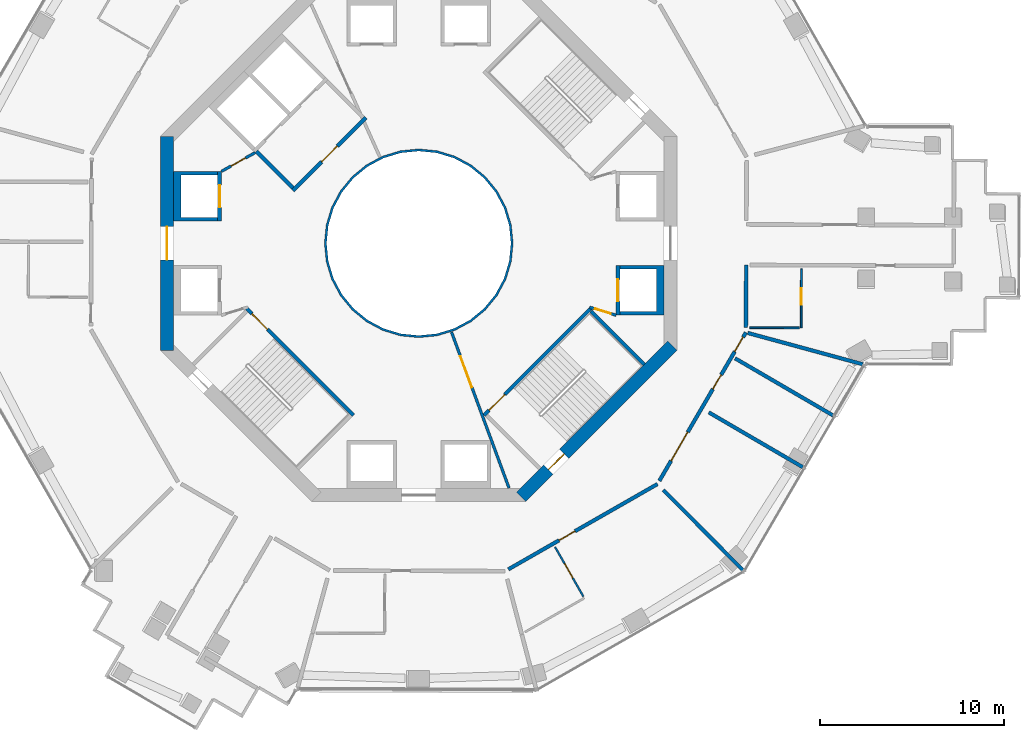
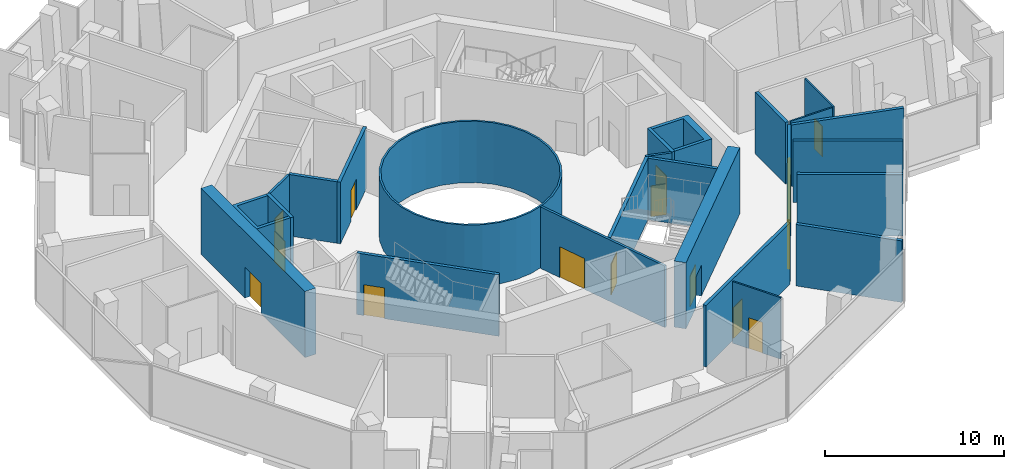
# One storey, part 11 of 16: 25 walls, 16 doors, 16 openings.
"""IFC4 building model written with IfcOpenShell, lengths in metres."""

import ifcopenshell
import ifcopenshell.guid

model = None  # the IFC model being written
_history = None  # IfcOwnerHistory: only IFC2X3 demands one
_inside = {}  # id of a spatial element -> (the spatial element, [elements in it])
_under = {}  # id of a project, library or spatial element -> (it, [spatial elements below it])
_declared = {}  # id of a project -> (the project, [libraries it declares])
_typed = {}  # id of a type object -> (the type object, [elements of that type])
_made_of = {}  # id of a material, layer set ... -> (it, [elements and type objects made of it])


def new_model(schema):
    """Start an empty IFC model of exactly this schema.

    Asked for "IFC4X3", IfcOpenShell would pick the latest addendum, in which some entities
    have other attributes; the version numbers below select the first issue.
    IFC2X3 requires an IfcOwnerHistory on every rooted entity: one is made here for all.
    """
    global model, _history
    if schema == "IFC4X3":
        model = ifcopenshell.file(schema_version=(4, 3, 0, 0))
    else:
        model = ifcopenshell.file(schema=schema)
    _inside.clear()
    _under.clear()
    _declared.clear()
    _typed.clear()
    _made_of.clear()
    _history = None
    if model.schema == "IFC2X3":
        org = make("IfcOrganization", Name="unknown")
        user = make(
            "IfcPersonAndOrganization",
            ThePerson=make("IfcPerson", FamilyName="unknown"),
            TheOrganization=org,
        )
        app = make(
            "IfcApplication",
            ApplicationDeveloper=org,
            Version="unknown",
            ApplicationFullName="unknown",
            ApplicationIdentifier="unknown",
        )
        _history = make(
            "IfcOwnerHistory",
            OwningUser=user,
            OwningApplication=app,
            ChangeAction="ADDED",
            CreationDate=0,
        )
    return model


def make(cls, **values):
    """One entity of the class cls with the attributes given. An attribute that is None is left unset."""
    return model.create_entity(
        cls, **{name: value for name, value in values.items() if value is not None}
    )


def rooted(cls, **values):
    """An entity with a GlobalId (a new one), such as an element, a storey or a relation."""
    return make(cls, GlobalId=ifcopenshell.guid.new(), OwnerHistory=_history, **values)


def si_unit(unit_type, name, prefix=None):
    """IfcSIUnit, for example si_unit("LENGTHUNIT", "METRE", prefix="MILLI")."""
    return make("IfcSIUnit", UnitType=unit_type, Prefix=prefix, Name=name)


def assignment(units):
    """IfcUnitAssignment: the units of a project."""
    return None if units is None else make("IfcUnitAssignment", Units=units)


def point(xyz):
    """IfcCartesianPoint."""
    return None if xyz is None else make("IfcCartesianPoint", Coordinates=xyz)


def direction(xyz):
    """IfcDirection."""
    return None if xyz is None else make("IfcDirection", DirectionRatios=xyz)


def frame(location, z_axis=None, x_axis=None):
    """IfcAxis2Placement3D, a coordinate frame: its origin and axes. An axis left out is left unset."""
    return make(
        "IfcAxis2Placement3D",
        Location=point(location),
        Axis=direction(z_axis),
        RefDirection=direction(x_axis),
    )


def frame_2d(location, x_axis=None):
    """IfcAxis2Placement2D, a coordinate frame in the plane: its origin and x axis."""
    return make(
        "IfcAxis2Placement2D", Location=point(location), RefDirection=direction(x_axis)
    )


def origin():
    """The frame at (0, 0, 0) with its axes left unset."""
    return frame((0.0, 0.0, 0.0))


def place(relative_to, where):
    """IfcLocalPlacement: puts the frame where relative to a parent placement (None: the world)."""
    return make(
        "IfcLocalPlacement", PlacementRelTo=relative_to, RelativePlacement=where
    )


def context(
    kind, dimensions, precision=None, world=None, true_north=None, identifier=None
):
    """IfcGeometricRepresentationContext, for example the 3D "Model" context."""
    return make(
        "IfcGeometricRepresentationContext",
        ContextIdentifier=identifier,
        ContextType=kind,
        CoordinateSpaceDimension=dimensions,
        Precision=precision,
        WorldCoordinateSystem=world,
        TrueNorth=true_north,
    )


def subcontext(parent, identifier, kind, view, scale=None):
    """IfcGeometricRepresentationSubContext, for example "Body" below "Model"."""
    return make(
        "IfcGeometricRepresentationSubContext",
        ContextIdentifier=identifier,
        ContextType=kind,
        ParentContext=parent,
        TargetScale=scale,
        TargetView=view,
    )


def project(units=None, contexts=None):
    """IfcProject with its units and contexts."""
    return rooted(
        "IfcProject",
        Name="project",
        RepresentationContexts=contexts,
        UnitsInContext=assignment(units),
    )


def spatial(cls, under=None, at=None, **own):
    """A site, building, storey or space (cls), placed at a placement, below another one or the project."""
    s = rooted(cls, ObjectPlacement=at, **own)
    if under is not None:
        _under.setdefault(under.id(), (under, []))[1].append(s)
    return s


def polyline(points):
    """IfcPolyline through the points."""
    return make("IfcPolyline", Points=[point(p) for p in points])


def profile(cls, at=None, kind="AREA", **sizes):
    """A parametric profile (cls). Its sizes go by their IFC names, for example OverallWidth=200.0."""
    return make(cls, ProfileType=kind, Position=at, **sizes)


def rectangle(**sizes):
    """IfcRectangleProfileDef."""
    return profile("IfcRectangleProfileDef", **sizes)


def outline(outer, holes=None, kind="AREA"):
    """IfcArbitraryClosedProfileDef: a profile drawn as a closed curve; with holes, ...WithVoids."""
    if holes is None:
        return make("IfcArbitraryClosedProfileDef", ProfileType=kind, OuterCurve=outer)
    return make(
        "IfcArbitraryProfileDefWithVoids",
        ProfileType=kind,
        OuterCurve=outer,
        InnerCurves=holes,
    )


def extrude(swept, where, along, depth):
    """IfcExtrudedAreaSolid: the profile swept, set in the frame where, extruded along a direction by depth."""
    return make(
        "IfcExtrudedAreaSolid",
        SweptArea=swept,
        Position=where,
        ExtrudedDirection=direction(along),
        Depth=depth,
    )


def shape(context_of_items, identifier, shape_type, items):
    """IfcShapeRepresentation: the items that make up one representation, for example the "Body"."""
    return make(
        "IfcShapeRepresentation",
        ContextOfItems=context_of_items,
        RepresentationIdentifier=identifier,
        RepresentationType=shape_type,
        Items=items,
    )


def material(Name=None, Category=None):
    """IfcMaterial."""
    return make("IfcMaterial", Name=Name, Category=Category)


def layer(
    of_material, thickness, ventilated=None, Name=None, Category=None, Priority=None
):
    """IfcMaterialLayer: one layer of a wall or slab, of a material (None: an air gap)."""
    return make(
        "IfcMaterialLayer",
        Material=of_material,
        LayerThickness=thickness,
        IsVentilated=ventilated,
        Name=Name,
        Category=Category,
        Priority=Priority,
    )


def layer_set(layers, Name=None):
    """IfcMaterialLayerSet."""
    return make("IfcMaterialLayerSet", MaterialLayers=layers, LayerSetName=Name)


def made_of(thing, what):
    """Note that an element or type object is made of a material, layer set ...; save() writes the relation."""
    if what is not None:
        _made_of.setdefault(what.id(), (what, []))[1].append(thing)
    return thing


def type_object(cls, material=None, **own):
    """A type object (cls), such as IfcWallType, which elements share."""
    return made_of(rooted(cls, **own), material)


def element(
    cls,
    number,
    at=None,
    inside=None,
    cuts=None,
    type_object=None,
    material=None,
    context=None,
    identifier="Body",
    shape_type=None,
    held_by="IfcProductDefinitionShape",
    body=None,
    shapes=None,
    **own,
):
    """One element of the class cls, such as IfcWall. Its Tag is "e" and its number.

    at: its placement. inside: the storey or other place that contains it. cuts: it is an
    opening in that element (IfcRelVoidsElement). A single representation is given by context,
    identifier, shape_type and body (its items); several are given by shapes. held_by: the class
    of the entity that holds the representations. save() writes the other relations.
    """
    e = rooted(cls, Tag="e%d" % number, ObjectPlacement=at, **own)
    if body is not None:
        shapes = [shape(context, identifier, shape_type, body)]
    if shapes is not None:
        e.Representation = make(held_by, Representations=shapes)
    if inside is not None:
        _inside.setdefault(inside.id(), (inside, []))[1].append(e)
    if cuts is not None:
        rooted(
            "IfcRelVoidsElement", RelatingBuildingElement=cuts, RelatedOpeningElement=e
        )
    if type_object is not None:
        _typed.setdefault(type_object.id(), (type_object, []))[1].append(e)
    return made_of(e, material)


def fill(opening, filler):
    """IfcRelFillsElement: the door or window that sits in an opening."""
    return rooted(
        "IfcRelFillsElement",
        RelatingOpeningElement=opening,
        RelatedBuildingElement=filler,
    )


def aggregate(whole, parts):
    """IfcRelAggregates: a whole, such as a stair, and the parts it consists of."""
    return rooted("IfcRelAggregates", RelatingObject=whole, RelatedObjects=parts)


def save(model, path):
    """Write the relations noted so far, then the file.

    IfcRelAggregates (storeys below a building ...), IfcRelContainedInSpatialStructure (elements
    in a storey), IfcRelDefinesByType, IfcRelAssociatesMaterial and IfcRelDeclares: one each for
    every whole, place, type object, material and project.
    """
    for whole, parts in _under.values():
        aggregate(whole, parts)
    for where, things in _inside.values():
        rooted(
            "IfcRelContainedInSpatialStructure",
            RelatedElements=things,
            RelatingStructure=where,
        )
    for kind, things in _typed.values():
        rooted("IfcRelDefinesByType", RelatedObjects=things, RelatingType=kind)
    for what, things in _made_of.values():
        rooted("IfcRelAssociatesMaterial", RelatedObjects=things, RelatingMaterial=what)
    for by, libraries in _declared.values():
        rooted("IfcRelDeclares", RelatingContext=by, RelatedDefinitions=libraries)
    model.write(path)


model = new_model("IFC4")

# Units and contexts
model_context = context("Model", 3, precision=1e-05, world=origin(), true_north=direction((0.0, 1.0)))
body_context = subcontext(model_context, "Body", "Model", "MODEL_VIEW")
ifc_project = project(units=[si_unit("LENGTHUNIT", "METRE"), si_unit("AREAUNIT", "SQUARE_METRE"), si_unit("VOLUMEUNIT", "CUBIC_METRE"), si_unit("PLANEANGLEUNIT", "RADIAN"), si_unit("MASSUNIT", "GRAM", prefix="KILO")], contexts=[model_context])

# Site, building, storey
site_placement = place(None, origin())
site = spatial("IfcSite", under=ifc_project, at=site_placement, CompositionType="ELEMENT")
building_placement = place(site_placement, origin())
building = spatial("IfcBuilding", under=site, at=building_placement, Name="Verdalira Terraces Hotel", CompositionType="ELEMENT")
storey_placement = place(building_placement, frame((0.0, 0.0, 154.0)))
storey = spatial("IfcBuildingStorey", under=building, at=storey_placement, Name="L37", CompositionType="ELEMENT", Elevation=154.0)

# Wall
ifc_material_1 = material(Name="Fire-resisting glass EI 180", Category="glass")
ifc_layer_1 = layer(ifc_material_1, 0.1201171875)
ifc_layer_set_1 = layer_set([ifc_layer_1], Name="Atrium fire screen 120 mm")
wall_type_1 = type_object("IfcWallType", Name="Atrium fire screen 120 mm", PredefinedType="SOLIDWALL", material=ifc_layer_set_1)
wall_1_placement = place(storey_placement, origin())
element("IfcWall", 1, at=wall_1_placement, inside=storey, type_object=wall_type_1, Name="Atrium fire screen", PredefinedType="SOLIDWALL", context=body_context, shape_type="SweptSolid", body=[
    extrude(outline(polyline([(5.021484, -0.998779), (4.730225, -1.959229), (4.25708, -2.844482), (3.620361, -3.620361), (2.844482, -4.25708), (1.959229, -4.730225), (0.998779, -5.021484), (0.0, -5.120117), (-0.998779, -5.021484), (-1.959229, -4.730225), (-2.844482, -4.25708), (-3.620361, -3.620361), (-4.25708, -2.844482), (-4.730225, -1.959229), (-5.021484, -0.998779), (-5.120117, 0.0), (-5.021484, 0.998779), (-4.730225, 1.959229), (-4.25708, 2.844482), (-3.620361, 3.620361), (-2.844482, 4.25708), (-1.959229, 4.730225), (-0.998779, 5.021484), (0.0, 5.120117), (0.998779, 5.021484), (1.959229, 4.730225), (2.844482, 4.25708), (3.620361, 3.620361), (4.25708, 2.844482), (4.730225, 1.959229), (5.021484, 0.998779), (5.120117, 0.0), (5.021484, -0.998779)]), holes=[polyline([(4.903809, 0.975586), (4.619385, 1.91333), (4.157227, 2.777832), (3.5354, 3.5354), (2.777832, 4.157227), (1.91333, 4.619385), (0.975586, 4.903809), (0.0, 5.0), (-0.975586, 4.903809), (-1.91333, 4.619385), (-2.777832, 4.157227), (-3.5354, 3.5354), (-4.157227, 2.777832), (-4.619385, 1.91333), (-4.903809, 0.975586), (-5.0, 0.0), (-4.903809, -0.975586), (-4.619385, -1.91333), (-4.157227, -2.777832), (-3.5354, -3.5354), (-2.777832, -4.157227), (-1.91333, -4.619385), (-0.975586, -4.903809), (0.0, -5.0), (0.975586, -4.903809), (1.91333, -4.619385), (2.777832, -4.157227), (3.5354, -3.5354), (4.157227, -2.777832), (4.619385, -1.91333), (4.903809, -0.975586), (5.0, 0.0), (4.903809, 0.975586)])]), origin(), (0.0, 0.0, 1.0), 4.189941),
])

# Wall, opening, door
ifc_material_2 = material(Name="Moisture-resistant gypsum board partition")
ifc_layer_2 = layer(ifc_material_2, 0.10009765625)
ifc_layer_set_2 = layer_set([ifc_layer_2], Name="Bathroom partition 100 mm")
wall_type_2 = type_object("IfcWallType", Name="Bathroom partition 100 mm", PredefinedType="PARTITIONING", material=ifc_layer_set_2)
wall_2_placement = place(storey_placement, frame((8.92627, -19.153809, 0.0), z_axis=(0.0, 0.0, 1.0), x_axis=(-0.496384872, 0.868102562, 0.0)))
wall_2 = element("IfcWall", 2, at=wall_2_placement, inside=storey, type_object=wall_type_2, Name="Bathroom partition", PredefinedType="PARTITIONING", context=body_context, shape_type="SweptSolid", body=[
    extrude(rectangle(XDim=3.100098, YDim=0.100098, at=frame_2d((1.550049, 0.0))), origin(), (0.0, 0.0, 1.0), 4.189941),
])
opening_1_placement = place(wall_2_placement, frame((1.149902, 0.0, 0.0)))
opening_1 = element("IfcOpeningElement", 3, at=opening_1_placement, cuts=wall_2, Name="Opening L37-113", PredefinedType="OPENING", context=body_context, shape_type="SweptSolid", body=[
    extrude(rectangle(XDim=0.899902, YDim=2.100098, at=frame_2d((0.449951, 1.050049))), frame((0.0, 0.060059, 0.0), z_axis=(0.0, -1.0, 0.0), x_axis=(1.0, 0.0, 0.0)), (0.0, 0.0, 1.0), 0.120117),
])
ifc_material_3 = material(Name="Timber door", Category="wood")
door_type_1 = type_object("IfcDoorType", Name="Bathroom door 900 x 2100", OperationType="NOTDEFINED", PredefinedType="DOOR", material=ifc_material_3)
door_1_placement = place(opening_1_placement, origin())
door_1 = element("IfcDoor", 4, at=door_1_placement, inside=storey, type_object=door_type_1, Name="Bathroom door 3708", OperationType="SINGLE_SWING_LEFT", OverallHeight=2.10009765625, OverallWidth=0.89990234375, PredefinedType="DOOR", context=body_context, shape_type="SweptSolid", body=[
    extrude(rectangle(XDim=0.899902, YDim=2.100098, at=frame_2d((0.449951, 1.050049))), frame((0.0, 0.024902, 0.0), z_axis=(0.0, -1.0, 0.0), x_axis=(1.0, 0.0, 0.0)), (0.0, 0.0, 1.0), 0.050049),
])
fill(opening_1, door_1)

# Wall
wall_3_placement = place(storey_placement, frame((20.639404, -4.586426, 0.0), z_axis=(0.0, 0.0, 1.0), x_axis=(-0.999991351, 0.004159096, 0.0)))
element("IfcWall", 5, at=wall_3_placement, inside=storey, type_object=wall_type_2, Name="Bathroom partition", PredefinedType="PARTITIONING", context=body_context, shape_type="SweptSolid", body=[
    extrude(rectangle(XDim=2.700195, YDim=0.100098, at=frame_2d((1.350098, 0.0))), origin(), (0.0, 0.0, 1.0), 4.189941),
])

# Wall, opening, door
wall_4_placement = place(storey_placement, frame((20.739258, -4.586914, 0.0), z_axis=(0.0, 0.0, 1.0), x_axis=(0.004196194, 0.999991196, 0.0)))
wall_4 = element("IfcWall", 6, at=wall_4_placement, inside=storey, type_object=wall_type_2, Name="Bathroom partition", PredefinedType="PARTITIONING", context=body_context, shape_type="SweptSolid", body=[
    extrude(rectangle(XDim=3.199951, YDim=0.100098, at=frame_2d((1.600098, 0.0))), origin(), (0.0, 0.0, 1.0), 4.189941),
])
opening_2_placement = place(wall_4_placement, frame((1.25, 0.0, 0.0)))
opening_2 = element("IfcOpeningElement", 7, at=opening_2_placement, cuts=wall_4, Name="Opening L37-116", PredefinedType="OPENING", context=body_context, shape_type="SweptSolid", body=[
    extrude(rectangle(XDim=0.899902, YDim=2.100098, at=frame_2d((0.449951, 1.050049))), frame((0.0, 0.060059, 0.0), z_axis=(0.0, -1.0, 0.0), x_axis=(1.0, 0.0, 0.0)), (0.0, 0.0, 1.0), 0.120117),
])
door_2_placement = place(opening_2_placement, origin())
door_2 = element("IfcDoor", 8, at=door_2_placement, inside=storey, type_object=door_type_1, Name="Bathroom door 3710", OperationType="SINGLE_SWING_LEFT", OverallHeight=2.10009765625, OverallWidth=0.89990234375, PredefinedType="DOOR", context=body_context, shape_type="SweptSolid", body=[
    extrude(rectangle(XDim=0.899902, YDim=2.100098, at=frame_2d((0.449951, 1.050049))), frame((0.0, 0.024902, 0.0), z_axis=(0.0, -1.0, 0.0), x_axis=(1.0, 0.0, 0.0)), (0.0, 0.0, 1.0), 0.050049),
])
fill(opening_2, door_2)

# Wall
ifc_material_4 = material(Name="Concrete C50", Category="concrete")
ifc_layer_3 = layer(ifc_material_4, 0.199951171875)
ifc_layer_set_3 = layer_set([ifc_layer_3], Name="Core RC wall 200 C50")
wall_type_3 = type_object("IfcWallType", Name="Core RC wall 200 C50", PredefinedType="SOLIDWALL", material=ifc_layer_set_3)
wall_5_placement = place(storey_placement, origin())
element("IfcWall", 9, at=wall_5_placement, inside=storey, type_object=wall_type_3, Name="L37 shaft wall E1", PredefinedType="SOLIDWALL", context=body_context, shape_type="SweptSolid", body=[
    extrude(outline(polyline([(13.300049, -3.899902), (10.899902, -3.899902), (10.899902, -3.699951), (12.899902, -3.699951), (12.899902, -1.399902), (10.899902, -1.399902), (10.899902, -1.199951), (13.300049, -1.199951), (13.300049, -3.899902)])), origin(), (0.0, 0.0, 1.0), 4.189941),
])

# Wall, opening, door
wall_6_placement = place(storey_placement, frame((10.800049, -1.199951, 0.0), z_axis=(0.0, 0.0, 1.0), x_axis=(0.0, -1.0, 0.0)))
wall_6 = element("IfcWall", 10, at=wall_6_placement, inside=storey, type_object=wall_type_3, Name="L37 shaft front wall E1", PredefinedType="SOLIDWALL", context=body_context, shape_type="SweptSolid", body=[
    extrude(rectangle(XDim=2.699951, YDim=0.199951, at=frame_2d((1.350098, 0.0))), origin(), (0.0, 0.0, 1.0), 4.189941),
])
opening_3_placement = place(wall_6_placement, frame((0.75, 0.0, 0.0)))
opening_3 = element("IfcOpeningElement", 11, at=opening_3_placement, cuts=wall_6, Name="Opening LD-L37-801", PredefinedType="OPENING", context=body_context, shape_type="SweptSolid", body=[
    extrude(rectangle(XDim=1.199951, YDim=2.100098, at=frame_2d((0.600098, 1.050049))), frame((0.0, 0.109863, 0.0), z_axis=(0.0, -1.0, 0.0), x_axis=(1.0, 0.0, 0.0)), (0.0, 0.0, 1.0), 0.219971),
])
ifc_material_5 = material(Name="Stainless steel", Category="steel")
door_type_2 = type_object("IfcDoorType", Name="Landing door 1200 x 2100", OperationType="NOTDEFINED", PredefinedType="DOOR", material=ifc_material_5)
door_3_placement = place(opening_3_placement, origin())
door_3 = element("IfcDoor", 12, at=door_3_placement, inside=storey, type_object=door_type_2, Name="Lift landing door LR1 L37", OperationType="DOUBLE_DOOR_SLIDING", OverallHeight=2.10009765625, OverallWidth=1.199951171875, PredefinedType="DOOR", context=body_context, shape_type="SweptSolid", body=[
    extrude(rectangle(XDim=1.199951, YDim=2.100098, at=frame_2d((0.600098, 1.050049))), frame((0.0, 0.024902, 0.0), z_axis=(0.0, -1.0, 0.0), x_axis=(1.0, 0.0, 0.0)), (0.0, 0.0, 1.0), 0.050049),
])
fill(opening_3, door_3)

# Wall
wall_7_placement = place(storey_placement, origin())
element("IfcWall", 13, at=wall_7_placement, inside=storey, type_object=wall_type_3, Name="L37 shaft wall W1", PredefinedType="SOLIDWALL", context=body_context, shape_type="SweptSolid", body=[
    extrude(outline(polyline([(-13.300049, 3.899902), (-10.899902, 3.899902), (-10.899902, 3.699951), (-12.899902, 3.699951), (-12.899902, 1.399902), (-10.899902, 1.399902), (-10.899902, 1.199951), (-13.300049, 1.199951), (-13.300049, 3.899902)])), origin(), (0.0, 0.0, 1.0), 4.189941),
])

# Wall, opening, door
wall_8_placement = place(storey_placement, frame((-10.800049, 1.199951, 0.0), z_axis=(0.0, 0.0, 1.0), x_axis=(0.0, 1.0, 0.0)))
wall_8 = element("IfcWall", 14, at=wall_8_placement, inside=storey, type_object=wall_type_3, Name="L37 shaft front wall W1", PredefinedType="SOLIDWALL", context=body_context, shape_type="SweptSolid", body=[
    extrude(rectangle(XDim=2.699951, YDim=0.199951, at=frame_2d((1.350098, 0.0))), origin(), (0.0, 0.0, 1.0), 4.189941),
])
opening_4_placement = place(wall_8_placement, frame((0.75, 0.0, 0.0)))
opening_4 = element("IfcOpeningElement", 15, at=opening_4_placement, cuts=wall_8, Name="Opening LD-L37-805", PredefinedType="OPENING", context=body_context, shape_type="SweptSolid", body=[
    extrude(rectangle(XDim=1.199951, YDim=2.100098, at=frame_2d((0.600098, 1.050049))), frame((0.0, 0.109863, 0.0), z_axis=(0.0, -1.0, 0.0), x_axis=(1.0, 0.0, 0.0)), (0.0, 0.0, 1.0), 0.219971),
])
door_4_placement = place(opening_4_placement, origin())
door_4 = element("IfcDoor", 16, at=door_4_placement, inside=storey, type_object=door_type_2, Name="Lift landing door LR5 L37", OperationType="DOUBLE_DOOR_SLIDING", OverallHeight=2.10009765625, OverallWidth=1.199951171875, PredefinedType="DOOR", context=body_context, shape_type="SweptSolid", body=[
    extrude(rectangle(XDim=1.199951, YDim=2.100098, at=frame_2d((0.600098, 1.050049))), frame((0.0, 0.024902, 0.0), z_axis=(0.0, -1.0, 0.0), x_axis=(1.0, 0.0, 0.0)), (0.0, 0.0, 1.0), 0.050049),
])
fill(opening_4, door_4)

wall_9_placement = place(storey_placement, frame((-3.5354, -9.33374, 0.0), z_axis=(0.0, 0.0, 1.0), x_axis=(-0.707106781, 0.707106781, 0.0)))
wall_9 = element("IfcWall", 17, at=wall_9_placement, inside=storey, type_object=wall_type_3, Name="L37 stair ST2 front wall", PredefinedType="SOLIDWALL", context=body_context, shape_type="SweptSolid", body=[
    extrude(rectangle(XDim=8.200195, YDim=0.199951, at=frame_2d((4.100098, 0.0))), origin(), (0.0, 0.0, 1.0), 4.189941),
])
opening_5_placement = place(wall_9_placement, frame((6.600098, 0.0, 0.0)))
opening_5 = element("IfcOpeningElement", 18, at=opening_5_placement, cuts=wall_9, Name="Opening L37-810", PredefinedType="OPENING", context=body_context, shape_type="SweptSolid", body=[
    extrude(rectangle(XDim=1.199951, YDim=2.100098, at=frame_2d((0.600098, 1.050049))), frame((0.0, 0.109863, 0.0), z_axis=(0.0, -1.0, 0.0), x_axis=(1.0, 0.0, 0.0)), (0.0, 0.0, 1.0), 0.219971),
])
ifc_material_6 = material(Name="Steel fire door", Category="steel")
door_type_3 = type_object("IfcDoorType", Name="Stair door 1200 x 2100", OperationType="NOTDEFINED", PredefinedType="DOOR", material=ifc_material_6)
door_5_placement = place(opening_5_placement, origin())
door_5 = element("IfcDoor", 19, at=door_5_placement, inside=storey, type_object=door_type_3, Name="Stair door ST2 L37", OperationType="SINGLE_SWING_RIGHT", OverallHeight=2.10009765625, OverallWidth=1.199951171875, PredefinedType="DOOR", context=body_context, shape_type="SweptSolid", body=[
    extrude(rectangle(XDim=1.199951, YDim=2.100098, at=frame_2d((0.600098, 1.050049))), frame((0.0, 0.024902, 0.0), z_axis=(0.0, -1.0, 0.0), x_axis=(1.0, 0.0, 0.0)), (0.0, 0.0, 1.0), 0.050049),
])
fill(opening_5, door_5)

wall_10_placement = place(storey_placement, frame((9.33374, -3.5354, 0.0), z_axis=(0.0, 0.0, 1.0), x_axis=(-0.707106781, -0.707106781, 0.0)))
wall_10 = element("IfcWall", 20, at=wall_10_placement, inside=storey, type_object=wall_type_3, Name="L37 stair ST3 front wall", PredefinedType="SOLIDWALL", context=body_context, shape_type="SweptSolid", body=[
    extrude(rectangle(XDim=8.200195, YDim=0.199951, at=frame_2d((4.100098, 0.0))), origin(), (0.0, 0.0, 1.0), 4.189941),
])
opening_6_placement = place(wall_10_placement, frame((6.600098, 0.0, 0.0)))
opening_6 = element("IfcOpeningElement", 21, at=opening_6_placement, cuts=wall_10, Name="Opening L37-811", PredefinedType="OPENING", context=body_context, shape_type="SweptSolid", body=[
    extrude(rectangle(XDim=1.199951, YDim=2.100098, at=frame_2d((0.600098, 1.050049))), frame((0.0, 0.109863, 0.0), z_axis=(0.0, -1.0, 0.0), x_axis=(1.0, 0.0, 0.0)), (0.0, 0.0, 1.0), 0.219971),
])
door_6_placement = place(opening_6_placement, origin())
door_6 = element("IfcDoor", 22, at=door_6_placement, inside=storey, type_object=door_type_3, Name="Stair door ST3 L37", OperationType="SINGLE_SWING_RIGHT", OverallHeight=2.10009765625, OverallWidth=1.199951171875, PredefinedType="DOOR", context=body_context, shape_type="SweptSolid", body=[
    extrude(rectangle(XDim=1.199951, YDim=2.100098, at=frame_2d((0.600098, 1.050049))), frame((0.0, 0.024902, 0.0), z_axis=(0.0, -1.0, 0.0), x_axis=(1.0, 0.0, 0.0)), (0.0, 0.0, 1.0), 0.050049),
])
fill(opening_6, door_6)

# Wall
wall_11_placement = place(storey_placement, frame((9.33374, -3.677002, 0.0), z_axis=(0.0, 0.0, 1.0), x_axis=(0.707106781, -0.707106781, 0.0)))
element("IfcWall", 23, at=wall_11_placement, inside=storey, type_object=wall_type_3, Name="L37 stair ST3 end wall 2", PredefinedType="SOLIDWALL", context=body_context, shape_type="SweptSolid", body=[
    extrude(rectangle(XDim=4.100098, YDim=0.199951, at=frame_2d((2.050049, 0.0))), origin(), (0.0, 0.0, 1.0), 4.189941),
])

# Wall, opening, door
wall_12_placement = place(storey_placement, frame((-2.86377, 6.823486, 0.0), z_axis=(0.0, 0.0, 1.0), x_axis=(-0.707106781, -0.707106781, 0.0)))
wall_12 = element("IfcWall", 24, at=wall_12_placement, inside=storey, type_object=wall_type_3, Name="L37 fire lobby wall", PredefinedType="SOLIDWALL", context=body_context, shape_type="SweptSolid", body=[
    extrude(rectangle(XDim=5.599854, YDim=0.199951, at=frame_2d((2.799805, 0.0))), origin(), (0.0, 0.0, 1.0), 4.189941),
])
opening_7_placement = place(wall_12_placement, frame((2.199951, 0.0, 0.0)))
opening_7 = element("IfcOpeningElement", 25, at=opening_7_placement, cuts=wall_12, Name="Opening L37-819", PredefinedType="OPENING", context=body_context, shape_type="SweptSolid", body=[
    extrude(rectangle(XDim=1.199951, YDim=2.100098, at=frame_2d((0.600098, 1.050049))), frame((0.0, 0.109863, 0.0), z_axis=(0.0, -1.0, 0.0), x_axis=(1.0, 0.0, 0.0)), (0.0, 0.0, 1.0), 0.219971),
])
ifc_material_7 = material(Name="Steel fire door", Category="steel")
door_type_4 = type_object("IfcDoorType", Name="Lobby door 1200 x 2100", OperationType="NOTDEFINED", PredefinedType="DOOR", material=ifc_material_7)
door_7_placement = place(opening_7_placement, origin())
door_7 = element("IfcDoor", 26, at=door_7_placement, inside=storey, type_object=door_type_4, Name="Fire lobby door L37", OperationType="SINGLE_SWING_LEFT", OverallHeight=2.10009765625, OverallWidth=1.199951171875, PredefinedType="DOOR", context=body_context, shape_type="SweptSolid", body=[
    extrude(rectangle(XDim=1.199951, YDim=2.100098, at=frame_2d((0.600098, 1.050049))), frame((0.0, 0.024902, 0.0), z_axis=(0.0, -1.0, 0.0), x_axis=(1.0, 0.0, 0.0)), (0.0, 0.0, 1.0), 0.050049),
])
fill(opening_7, door_7)

# Wall
wall_13_placement = place(storey_placement, frame((-6.823486, 3.005127, 0.0), z_axis=(0.0, 0.0, 1.0), x_axis=(-0.707106781, 0.707106781, 0.0)))
element("IfcWall", 27, at=wall_13_placement, inside=storey, type_object=wall_type_3, Name="L37 fire lobby wall", PredefinedType="SOLIDWALL", context=body_context, shape_type="SweptSolid", body=[
    extrude(rectangle(XDim=2.800049, YDim=0.199951, at=frame_2d((1.399902, 0.0))), origin(), (0.0, 0.0, 1.0), 4.189941),
])

# Wall, opening, door
ifc_material_8 = material(Name="Gypsum board partition")
ifc_layer_4 = layer(ifc_material_8, 0.14990234375)
ifc_layer_set_4 = layer_set([ifc_layer_4], Name="Core partition 150 mm")
wall_type_4 = type_object("IfcWallType", Name="Core partition 150 mm", PredefinedType="PARTITIONING", material=ifc_layer_set_4)
wall_14_placement = place(storey_placement, frame((-8.874268, 4.914307, 0.0), z_axis=(0.0, 0.0, 1.0), x_axis=(-0.874129705, -0.485692555, 0.0)))
wall_14 = element("IfcWall", 28, at=wall_14_placement, inside=storey, type_object=wall_type_4, Name="Room partition L37", PredefinedType="PARTITIONING", context=body_context, shape_type="SweptSolid", body=[
    extrude(rectangle(XDim=2.088623, YDim=0.149902, at=frame_2d((1.044434, 0.0))), origin(), (0.0, 0.0, 1.0), 4.189941),
])
opening_8_placement = place(wall_14_placement, frame((0.594238, 0.0, 0.0)))
opening_8 = element("IfcOpeningElement", 29, at=opening_8_placement, cuts=wall_14, Name="Opening L37-821", PredefinedType="OPENING", context=body_context, shape_type="SweptSolid", body=[
    extrude(rectangle(XDim=0.899902, YDim=2.100098, at=frame_2d((0.449951, 1.050049))), frame((0.0, 0.084961, 0.0), z_axis=(0.0, -1.0, 0.0), x_axis=(1.0, 0.0, 0.0)), (0.0, 0.0, 1.0), 0.169922),
])
ifc_material_9 = material(Name="Steel fire door", Category="steel")
door_type_5 = type_object("IfcDoorType", Name="Core room door 900 x 2100", OperationType="NOTDEFINED", PredefinedType="DOOR", material=ifc_material_9)
door_8_placement = place(opening_8_placement, origin())
door_8 = element("IfcDoor", 30, at=door_8_placement, inside=storey, type_object=door_type_5, Name="Door L37 room3", OperationType="SINGLE_SWING_LEFT", OverallHeight=2.10009765625, OverallWidth=0.89990234375, PredefinedType="DOOR", context=body_context, shape_type="SweptSolid", body=[
    extrude(rectangle(XDim=0.899902, YDim=2.100098, at=frame_2d((0.449951, 1.050049))), frame((0.0, 0.024902, 0.0), z_axis=(0.0, -1.0, 0.0), x_axis=(1.0, 0.0, 0.0)), (0.0, 0.0, 1.0), 0.050049),
])
fill(opening_8, door_8)

wall_15_placement = place(storey_placement, frame((9.263184, -3.464844, 0.0), z_axis=(0.0, 0.0, 1.0), x_axis=(0.957084567, -0.289808785, 0.0)))
wall_15 = element("IfcWall", 31, at=wall_15_placement, inside=storey, type_object=wall_type_4, Name="Room partition L37", PredefinedType="PARTITIONING", context=body_context, shape_type="SweptSolid", body=[
    extrude(rectangle(XDim=1.501221, YDim=0.149902, at=frame_2d((0.750488, 0.0))), origin(), (0.0, 0.0, 1.0), 4.189941),
])
opening_9_placement = place(wall_15_placement, frame((0.300781, 0.0, 0.0)))
opening_9 = element("IfcOpeningElement", 32, at=opening_9_placement, cuts=wall_15, Name="Opening L37-823", PredefinedType="OPENING", context=body_context, shape_type="SweptSolid", body=[
    extrude(rectangle(XDim=0.899902, YDim=2.100098, at=frame_2d((0.449951, 1.050049))), frame((0.0, 0.084961, 0.0), z_axis=(0.0, -1.0, 0.0), x_axis=(1.0, 0.0, 0.0)), (0.0, 0.0, 1.0), 0.169922),
])
door_9_placement = place(opening_9_placement, origin())
door_9 = element("IfcDoor", 33, at=door_9_placement, inside=storey, type_object=door_type_5, Name="Door L37 room7", OperationType="SINGLE_SWING_LEFT", OverallHeight=2.10009765625, OverallWidth=0.89990234375, PredefinedType="DOOR", context=body_context, shape_type="SweptSolid", body=[
    extrude(rectangle(XDim=0.899902, YDim=2.100098, at=frame_2d((0.449951, 1.050049))), frame((0.0, 0.024902, 0.0), z_axis=(0.0, -1.0, 0.0), x_axis=(1.0, 0.0, 0.0)), (0.0, 0.0, 1.0), 0.050049),
])
fill(opening_9, door_9)

wall_16_placement = place(storey_placement, frame((1.775635, -4.812988, 0.0), z_axis=(0.0, 0.0, 1.0), x_axis=(0.346109381, -0.938194168, 0.0)))
wall_16 = element("IfcWall", 34, at=wall_16_placement, inside=storey, type_object=wall_type_4, Name="Gallery fire partition L37", PredefinedType="PARTITIONING", context=body_context, shape_type="SweptSolid", body=[
    extrude(rectangle(XDim=9.016357, YDim=0.149902, at=frame_2d((4.508301, 0.0))), origin(), (0.0, 0.0, 1.0), 4.189941),
])
opening_10_placement = place(wall_16_placement, frame((1.399902, 0.0, 0.0)))
opening_10 = element("IfcOpeningElement", 35, at=opening_10_placement, cuts=wall_16, Name="Opening L37-825", PredefinedType="OPENING", context=body_context, shape_type="SweptSolid", body=[
    extrude(rectangle(XDim=1.800049, YDim=2.100098, at=frame_2d((0.899902, 1.050049))), frame((0.0, 0.084961, 0.0), z_axis=(0.0, -1.0, 0.0), x_axis=(1.0, 0.0, 0.0)), (0.0, 0.0, 1.0), 0.169922),
])
ifc_material_10 = material(Name="Steel fire door", Category="steel")
door_type_6 = type_object("IfcDoorType", Name="Gallery fire door pair 1800 x 2100", OperationType="NOTDEFINED", PredefinedType="DOOR", material=ifc_material_10)
door_10_placement = place(opening_10_placement, origin())
door_10 = element("IfcDoor", 36, at=door_10_placement, inside=storey, type_object=door_type_6, Name="Door L37 split6", OperationType="DOUBLE_DOOR_SINGLE_SWING", OverallHeight=2.10009765625, OverallWidth=1.800048828125, PredefinedType="DOOR", context=body_context, shape_type="SweptSolid", body=[
    extrude(rectangle(XDim=1.800049, YDim=2.100098, at=frame_2d((0.899902, 1.050049))), frame((0.0, 0.024902, 0.0), z_axis=(0.0, -1.0, 0.0), x_axis=(1.0, 0.0, 0.0)), (0.0, 0.0, 1.0), 0.050049),
])
fill(opening_10, door_10)

ifc_material_11 = material(Name="Concrete C60", Category="concrete")
ifc_layer_5 = layer(ifc_material_11, 0.699951171875)
ifc_layer_set_5 = layer_set([ifc_layer_5], Name="Core wall 700 C60")
wall_type_5 = type_object("IfcWallType", Name="Core wall 700 C60", PredefinedType="SHEAR", material=ifc_layer_set_5)
wall_17_placement = place(storey_placement, frame((-13.649902, 5.799072, 0.0), z_axis=(0.0, 0.0, 1.0), x_axis=(0.0, -1.0, 0.0)))
wall_17 = element("IfcWall", 37, at=wall_17_placement, inside=storey, type_object=wall_type_5, Name="Core wall CW-L37-5", PredefinedType="SHEAR", context=body_context, shape_type="SweptSolid", body=[
    extrude(rectangle(XDim=11.598145, YDim=0.699951, at=frame_2d((5.799072, 0.0))), origin(), (0.0, 0.0, 1.0), 4.5),
])
opening_11_placement = place(wall_17_placement, frame((4.898926, 0.0, 0.0)))
opening_11 = element("IfcOpeningElement", 38, at=opening_11_placement, cuts=wall_17, Name="Opening L37-814", PredefinedType="OPENING", context=body_context, shape_type="SweptSolid", body=[
    extrude(rectangle(XDim=1.800049, YDim=2.100098, at=frame_2d((0.899902, 1.050049))), frame((0.0, 0.359863, 0.0), z_axis=(0.0, -1.0, 0.0), x_axis=(1.0, 0.0, 0.0)), (0.0, 0.0, 1.0), 0.719971),
])
ifc_material_12 = material(Name="Steel fire door", Category="steel")
door_type_7 = type_object("IfcDoorType", Name="Core entry door pair 1800 x 2100", OperationType="NOTDEFINED", PredefinedType="DOOR", material=ifc_material_12)
door_11_placement = place(opening_11_placement, origin())
door_11 = element("IfcDoor", 39, at=door_11_placement, inside=storey, type_object=door_type_7, Name="Core entry door L37 4", OperationType="DOUBLE_DOOR_SINGLE_SWING", OverallHeight=2.10009765625, OverallWidth=1.800048828125, PredefinedType="DOOR", context=body_context, shape_type="SweptSolid", body=[
    extrude(rectangle(XDim=1.800049, YDim=2.100098, at=frame_2d((0.899902, 1.050049))), frame((0.0, 0.024902, 0.0), z_axis=(0.0, -1.0, 0.0), x_axis=(1.0, 0.0, 0.0)), (0.0, 0.0, 1.0), 0.050049),
])
fill(opening_11, door_11)

wall_18_placement = place(storey_placement, frame((5.551514, -13.752441, 0.0), z_axis=(0.0, 0.0, 1.0), x_axis=(0.707106781, 0.707106781, 0.0)))
wall_18 = element("IfcWall", 40, at=wall_18_placement, inside=storey, type_object=wall_type_5, Name="Core wall CW-L37-8", PredefinedType="SHEAR", context=body_context, shape_type="SweptSolid", body=[
    extrude(rectangle(XDim=11.5979, YDim=0.699951, at=frame_2d((5.798828, 0.0))), origin(), (0.0, 0.0, 1.0), 4.5),
])
opening_12_placement = place(wall_18_placement, frame((2.099121, 0.0, 0.0)))
opening_12 = element("IfcOpeningElement", 41, at=opening_12_placement, cuts=wall_18, Name="Opening L37-818", PredefinedType="OPENING", context=body_context, shape_type="SweptSolid", body=[
    extrude(rectangle(XDim=1.199951, YDim=2.100098, at=frame_2d((0.600098, 1.050049))), frame((0.0, 0.359863, 0.0), z_axis=(0.0, -1.0, 0.0), x_axis=(1.0, 0.0, 0.0)), (0.0, 0.0, 1.0), 0.719971),
])
door_12_placement = place(opening_12_placement, origin())
door_12 = element("IfcDoor", 42, at=door_12_placement, inside=storey, type_object=door_type_3, Name="Stair exit door ST3 L37", OperationType="SINGLE_SWING_LEFT", OverallHeight=2.10009765625, OverallWidth=1.199951171875, PredefinedType="DOOR", context=body_context, shape_type="SweptSolid", body=[
    extrude(rectangle(XDim=1.199951, YDim=2.100098, at=frame_2d((0.600098, 1.050049))), frame((0.0, 0.024902, 0.0), z_axis=(0.0, -1.0, 0.0), x_axis=(1.0, 0.0, 0.0)), (0.0, 0.0, 1.0), 0.050049),
])
fill(opening_12, door_12)

# Wall
ifc_material_13 = material(Name="Fire-rated gypsum board wall")
ifc_layer_6 = layer(ifc_material_13, 0.199951171875)
ifc_layer_set_6 = layer_set([ifc_layer_6], Name="Demising wall 200 mm")
wall_type_6 = type_object("IfcWallType", Name="Demising wall 200 mm", PredefinedType="SOLIDWALL", material=ifc_layer_set_6)
wall_19_placement = place(storey_placement, frame((17.578125, -17.726074, 0.0), z_axis=(0.0, 0.0, 1.0), x_axis=(-0.70411441, 0.710086542, 0.0)))
element("IfcWall", 43, at=wall_19_placement, inside=storey, type_object=wall_type_6, Name="Demising wall", PredefinedType="SOLIDWALL", context=body_context, shape_type="SweptSolid", body=[
    extrude(rectangle(XDim=6.13208, YDim=0.199951, at=frame_2d((3.065918, 0.0))), origin(), (0.0, 0.0, 1.0), 4.189941),
])

# Wall, opening, door
ifc_material_14 = material(Name="Fire-rated gypsum board wall")
ifc_layer_7 = layer(ifc_material_14, 0.199951171875)
ifc_layer_set_7 = layer_set([ifc_layer_7], Name="Guest corridor wall 200 mm")
wall_type_7 = type_object("IfcWallType", Name="Guest corridor wall 200 mm", PredefinedType="SOLIDWALL", material=ifc_layer_set_7)
wall_20_placement = place(storey_placement, frame((12.945312, -13.054443, 0.0), z_axis=(0.0, 0.0, 1.0), x_axis=(-0.868115714, -0.496361872, 0.0)))
wall_20 = element("IfcWall", 44, at=wall_20_placement, inside=storey, type_object=wall_type_7, Name="Guest corridor wall", PredefinedType="SOLIDWALL", context=body_context, shape_type="SweptSolid", body=[
    extrude(rectangle(XDim=9.316406, YDim=0.199951, at=frame_2d((4.658203, 0.0))), origin(), (0.0, 0.0, 1.0), 4.189941),
])
opening_13_placement = place(wall_20_placement, frame((5.149902, 0.0, 0.0)))
opening_13 = element("IfcOpeningElement", 45, at=opening_13_placement, cuts=wall_20, Name="Opening L37-112", PredefinedType="OPENING", context=body_context, shape_type="SweptSolid", body=[
    extrude(rectangle(XDim=1.0, YDim=2.100098, at=frame_2d((0.5, 1.050049))), frame((0.0, 0.109863, 0.0), z_axis=(0.0, -1.0, 0.0), x_axis=(1.0, 0.0, 0.0)), (0.0, 0.0, 1.0), 0.219971),
])
ifc_material_15 = material(Name="Timber fire door", Category="wood")
door_type_8 = type_object("IfcDoorType", Name="Guest entry door 1000 x 2100", OperationType="NOTDEFINED", PredefinedType="DOOR", material=ifc_material_15)
door_13_placement = place(opening_13_placement, origin())
door_13 = element("IfcDoor", 46, at=door_13_placement, inside=storey, type_object=door_type_8, Name="Guest entry door 3708", OperationType="SINGLE_SWING_LEFT", OverallHeight=2.10009765625, OverallWidth=1.0, PredefinedType="DOOR", context=body_context, shape_type="SweptSolid", body=[
    extrude(rectangle(XDim=1.0, YDim=2.100098, at=frame_2d((0.5, 1.050049))), frame((0.0, 0.024902, 0.0), z_axis=(0.0, -1.0, 0.0), x_axis=(1.0, 0.0, 0.0)), (0.0, 0.0, 1.0), 0.050049),
])
fill(opening_13, door_13)

# Wall, openings, doors
wall_21_placement = place(storey_placement, frame((17.738281, -4.832764, 0.0), z_axis=(0.0, 0.0, 1.0), x_axis=(-0.503629868, -0.863919531, 0.0)))
wall_21 = element("IfcWall", 47, at=wall_21_placement, inside=storey, type_object=wall_type_7, Name="Guest corridor wall", PredefinedType="SOLIDWALL", context=body_context, shape_type="SweptSolid", body=[
    extrude(rectangle(XDim=9.31665, YDim=0.199951, at=frame_2d((4.658203, 0.0))), origin(), (0.0, 0.0, 1.0), 4.189941),
])
opening_14_placement = place(wall_21_placement, frame((6.258301, 0.0, 0.0)))
opening_14 = element("IfcOpeningElement", 48, at=opening_14_placement, cuts=wall_21, Name="Opening L37-114", PredefinedType="OPENING", context=body_context, shape_type="SweptSolid", body=[
    extrude(rectangle(XDim=1.800049, YDim=2.100098, at=frame_2d((0.899902, 1.050049))), frame((0.0, 0.109863, 0.0), z_axis=(0.0, -1.0, 0.0), x_axis=(1.0, 0.0, 0.0)), (0.0, 0.0, 1.0), 0.219971),
])
opening_15_placement = place(wall_21_placement, frame((2.658203, 0.0, 0.0)))
opening_15 = element("IfcOpeningElement", 49, at=opening_15_placement, cuts=wall_21, Name="Opening L37-125", PredefinedType="OPENING", context=body_context, shape_type="SweptSolid", body=[
    extrude(rectangle(XDim=0.899902, YDim=2.100098, at=frame_2d((0.449951, 1.050049))), frame((0.0, 0.109863, 0.0), z_axis=(0.0, -1.0, 0.0), x_axis=(1.0, 0.0, 0.0)), (0.0, 0.0, 1.0), 0.219971),
])
opening_16_placement = place(wall_21_placement, frame((0.300049, 0.0, 0.0)))
opening_16 = element("IfcOpeningElement", 50, at=opening_16_placement, cuts=wall_21, Name="Opening L37-126", PredefinedType="OPENING", context=body_context, shape_type="SweptSolid", body=[
    extrude(rectangle(XDim=0.899902, YDim=2.100098, at=frame_2d((0.449951, 1.050049))), frame((0.0, 0.109863, 0.0), z_axis=(0.0, -1.0, 0.0), x_axis=(1.0, 0.0, 0.0)), (0.0, 0.0, 1.0), 0.219971),
])
ifc_material_16 = material(Name="Timber fire door", Category="wood")
door_type_9 = type_object("IfcDoorType", Name="Public room double door 1800 x 2100", OperationType="NOTDEFINED", PredefinedType="DOOR", material=ifc_material_16)
door_14_placement = place(opening_14_placement, origin())
door_14 = element("IfcDoor", 51, at=door_14_placement, inside=storey, type_object=door_type_9, Name="Public room double door 3709", OperationType="DOUBLE_DOOR_SINGLE_SWING", OverallHeight=2.10009765625, OverallWidth=1.800048828125, PredefinedType="DOOR", context=body_context, shape_type="SweptSolid", body=[
    extrude(rectangle(XDim=1.800049, YDim=2.100098, at=frame_2d((0.899902, 1.050049))), frame((0.0, 0.024902, 0.0), z_axis=(0.0, -1.0, 0.0), x_axis=(1.0, 0.0, 0.0)), (0.0, 0.0, 1.0), 0.050049),
])
fill(opening_14, door_14)
ifc_material_17 = material(Name="Timber fire door", Category="wood")
door_type_10 = type_object("IfcDoorType", Name="Toilet door 900 x 2100", OperationType="NOTDEFINED", PredefinedType="DOOR", material=ifc_material_17)
door_15_placement = place(opening_15_placement, origin())
door_15 = element("IfcDoor", 52, at=door_15_placement, inside=storey, type_object=door_type_10, Name="Toilet door 3717", OperationType="SINGLE_SWING_LEFT", OverallHeight=2.10009765625, OverallWidth=0.89990234375, PredefinedType="DOOR", context=body_context, shape_type="SweptSolid", body=[
    extrude(rectangle(XDim=0.899902, YDim=2.100098, at=frame_2d((0.449951, 1.050049))), frame((0.0, 0.024902, 0.0), z_axis=(0.0, -1.0, 0.0), x_axis=(1.0, 0.0, 0.0)), (0.0, 0.0, 1.0), 0.050049),
])
fill(opening_15, door_15)
door_16_placement = place(opening_16_placement, origin())
door_16 = element("IfcDoor", 53, at=door_16_placement, inside=storey, type_object=door_type_10, Name="Toilet door 3718", OperationType="SINGLE_SWING_LEFT", OverallHeight=2.10009765625, OverallWidth=0.89990234375, PredefinedType="DOOR", context=body_context, shape_type="SweptSolid", body=[
    extrude(rectangle(XDim=0.899902, YDim=2.100098, at=frame_2d((0.449951, 1.050049))), frame((0.0, 0.024902, 0.0), z_axis=(0.0, -1.0, 0.0), x_axis=(1.0, 0.0, 0.0)), (0.0, 0.0, 1.0), 0.050049),
])
fill(opening_16, door_16)

# Walls
wall_22_placement = place(storey_placement, frame((17.739258, -4.574219, 0.0), z_axis=(0.0, 0.0, 1.0), x_axis=(0.004236642, 0.999991025, 0.0)))
element("IfcWall", 54, at=wall_22_placement, inside=storey, type_object=wall_type_7, Name="Guest corridor wall", PredefinedType="SOLIDWALL", context=body_context, shape_type="SweptSolid", body=[
    extrude(rectangle(XDim=3.399902, YDim=0.199951, at=frame_2d((1.699951, 0.0))), origin(), (0.0, 0.0, 1.0), 4.189941),
])
ifc_material_18 = material(Name="Fire-rated gypsum board wall")
ifc_layer_8 = layer(ifc_material_18, 0.199951171875)
ifc_layer_set_8 = layer_set([ifc_layer_8], Name="Service room wall 200 mm")
wall_type_8 = type_object("IfcWallType", Name="Service room wall 200 mm", PredefinedType="SOLIDWALL", material=ifc_layer_set_8)
wall_23_placement = place(storey_placement, frame((15.728271, -9.168701, 0.0), z_axis=(0.0, 0.0, 1.0), x_axis=(0.863906385, -0.503652418, 0.0)))
element("IfcWall", 55, at=wall_23_placement, inside=storey, type_object=wall_type_8, Name="Service room wall", PredefinedType="SOLIDWALL", context=body_context, shape_type="SweptSolid", body=[
    extrude(rectangle(XDim=5.902588, YDim=0.199951, at=frame_2d((2.951172, 0.0))), origin(), (0.0, 0.0, 1.0), 4.189941),
])
wall_24_placement = place(storey_placement, frame((17.151367, -6.236572, 0.0), z_axis=(0.0, 0.0, 1.0), x_axis=(0.863935798, -0.503601963, 0.0)))
element("IfcWall", 56, at=wall_24_placement, inside=storey, type_object=wall_type_8, Name="Service room wall", PredefinedType="SOLIDWALL", context=body_context, shape_type="SweptSolid", body=[
    extrude(rectangle(XDim=6.150146, YDim=0.199951, at=frame_2d((3.075195, 0.0))), origin(), (0.0, 0.0, 1.0), 4.189941),
])
wall_25_placement = place(storey_placement, frame((17.838135, -4.859863, 0.0), z_axis=(0.0, 0.0, 1.0), x_axis=(0.964836865, -0.262849431, 0.0)))
element("IfcWall", 57, at=wall_25_placement, inside=storey, type_object=wall_type_8, Name="Service room wall", PredefinedType="SOLIDWALL", context=body_context, shape_type="SweptSolid", body=[
    extrude(rectangle(XDim=6.47583, YDim=0.199951, at=frame_2d((3.237793, 0.0))), origin(), (0.0, 0.0, 1.0), 4.189941),
])

save(model, "model.ifc")
